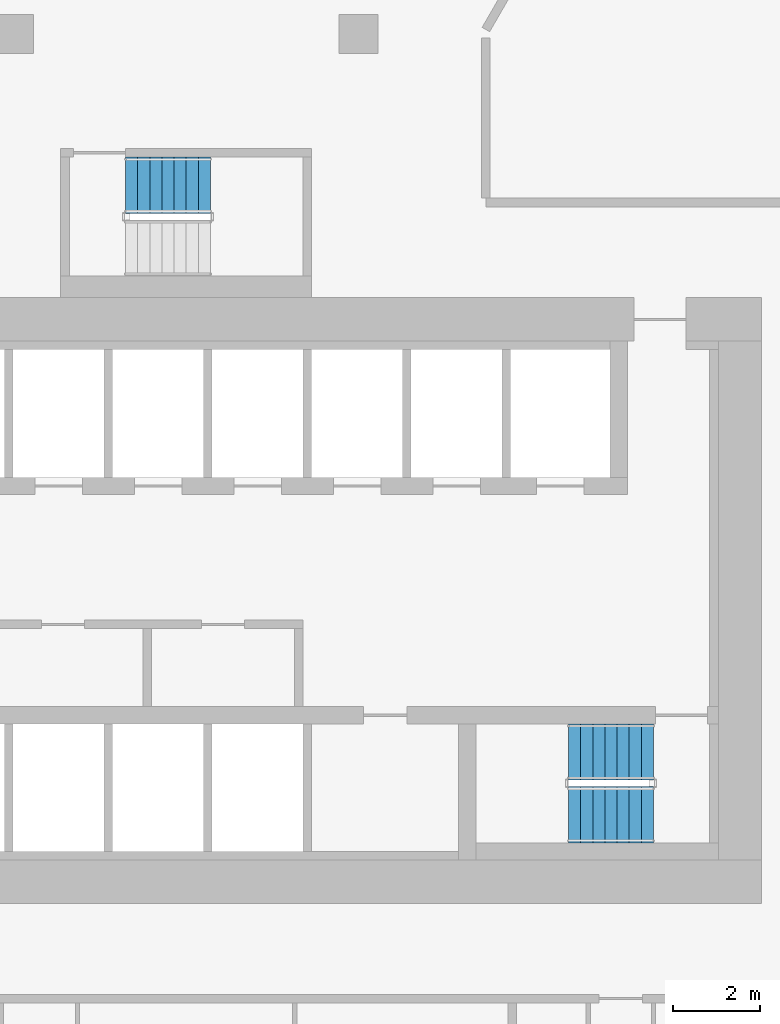
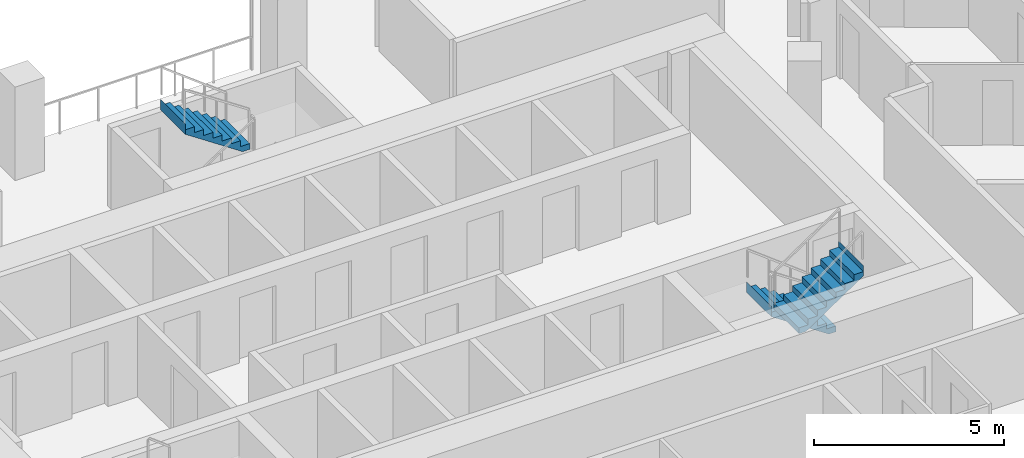
# One storey, part 14 of 18: 3 stair flights, 2 elements without a shape of their own.
"""IFC4 building model written with IfcOpenShell, lengths in metres."""

import ifcopenshell
import ifcopenshell.guid

model = None  # the IFC model being written
_history = None  # IfcOwnerHistory: only IFC2X3 demands one
_inside = {}  # id of a spatial element -> (the spatial element, [elements in it])
_under = {}  # id of a project, library or spatial element -> (it, [spatial elements below it])
_declared = {}  # id of a project -> (the project, [libraries it declares])
_typed = {}  # id of a type object -> (the type object, [elements of that type])
_made_of = {}  # id of a material, layer set ... -> (it, [elements and type objects made of it])


def new_model(schema):
    """Start an empty IFC model of exactly this schema.

    Asked for "IFC4X3", IfcOpenShell would pick the latest addendum, in which some entities
    have other attributes; the version numbers below select the first issue.
    IFC2X3 requires an IfcOwnerHistory on every rooted entity: one is made here for all.
    """
    global model, _history
    if schema == "IFC4X3":
        model = ifcopenshell.file(schema_version=(4, 3, 0, 0))
    else:
        model = ifcopenshell.file(schema=schema)
    _inside.clear()
    _under.clear()
    _declared.clear()
    _typed.clear()
    _made_of.clear()
    _history = None
    if model.schema == "IFC2X3":
        org = make("IfcOrganization", Name="unknown")
        user = make(
            "IfcPersonAndOrganization",
            ThePerson=make("IfcPerson", FamilyName="unknown"),
            TheOrganization=org,
        )
        app = make(
            "IfcApplication",
            ApplicationDeveloper=org,
            Version="unknown",
            ApplicationFullName="unknown",
            ApplicationIdentifier="unknown",
        )
        _history = make(
            "IfcOwnerHistory",
            OwningUser=user,
            OwningApplication=app,
            ChangeAction="ADDED",
            CreationDate=0,
        )
    return model


def make(cls, **values):
    """One entity of the class cls with the attributes given. An attribute that is None is left unset."""
    return model.create_entity(
        cls, **{name: value for name, value in values.items() if value is not None}
    )


def rooted(cls, **values):
    """An entity with a GlobalId (a new one), such as an element, a storey or a relation."""
    return make(cls, GlobalId=ifcopenshell.guid.new(), OwnerHistory=_history, **values)


def si_unit(unit_type, name, prefix=None):
    """IfcSIUnit, for example si_unit("LENGTHUNIT", "METRE", prefix="MILLI")."""
    return make("IfcSIUnit", UnitType=unit_type, Prefix=prefix, Name=name)


def assignment(units):
    """IfcUnitAssignment: the units of a project."""
    return None if units is None else make("IfcUnitAssignment", Units=units)


def point(xyz):
    """IfcCartesianPoint."""
    return None if xyz is None else make("IfcCartesianPoint", Coordinates=xyz)


def direction(xyz):
    """IfcDirection."""
    return None if xyz is None else make("IfcDirection", DirectionRatios=xyz)


def frame(location, z_axis=None, x_axis=None):
    """IfcAxis2Placement3D, a coordinate frame: its origin and axes. An axis left out is left unset."""
    return make(
        "IfcAxis2Placement3D",
        Location=point(location),
        Axis=direction(z_axis),
        RefDirection=direction(x_axis),
    )


def origin():
    """The frame at (0, 0, 0) with its axes left unset."""
    return frame((0.0, 0.0, 0.0))


def place(relative_to, where):
    """IfcLocalPlacement: puts the frame where relative to a parent placement (None: the world)."""
    return make(
        "IfcLocalPlacement", PlacementRelTo=relative_to, RelativePlacement=where
    )


def context(
    kind, dimensions, precision=None, world=None, true_north=None, identifier=None
):
    """IfcGeometricRepresentationContext, for example the 3D "Model" context."""
    return make(
        "IfcGeometricRepresentationContext",
        ContextIdentifier=identifier,
        ContextType=kind,
        CoordinateSpaceDimension=dimensions,
        Precision=precision,
        WorldCoordinateSystem=world,
        TrueNorth=true_north,
    )


def subcontext(parent, identifier, kind, view, scale=None):
    """IfcGeometricRepresentationSubContext, for example "Body" below "Model"."""
    return make(
        "IfcGeometricRepresentationSubContext",
        ContextIdentifier=identifier,
        ContextType=kind,
        ParentContext=parent,
        TargetScale=scale,
        TargetView=view,
    )


def project(units=None, contexts=None):
    """IfcProject with its units and contexts."""
    return rooted(
        "IfcProject",
        Name="project",
        RepresentationContexts=contexts,
        UnitsInContext=assignment(units),
    )


def spatial(cls, under=None, at=None, **own):
    """A site, building, storey or space (cls), placed at a placement, below another one or the project."""
    s = rooted(cls, ObjectPlacement=at, **own)
    if under is not None:
        _under.setdefault(under.id(), (under, []))[1].append(s)
    return s


def point_list(points):
    """IfcCartesianPointList2D or 3D."""
    cls = (
        "IfcCartesianPointList2D" if len(points[0]) == 2 else "IfcCartesianPointList3D"
    )
    return make(cls, CoordList=points)


def triangles(points, corners, closed=None, point_numbers=None):
    """IfcTriangulatedFaceSet: each triangle names its three corners, points numbered from 1."""
    return make(
        "IfcTriangulatedFaceSet",
        Coordinates=point_list(points),
        Closed=closed,
        CoordIndex=corners,
        PnIndex=point_numbers,
    )


def shape(context_of_items, identifier, shape_type, items):
    """IfcShapeRepresentation: the items that make up one representation, for example the "Body"."""
    return make(
        "IfcShapeRepresentation",
        ContextOfItems=context_of_items,
        RepresentationIdentifier=identifier,
        RepresentationType=shape_type,
        Items=items,
    )


def material(Name=None, Category=None):
    """IfcMaterial."""
    return make("IfcMaterial", Name=Name, Category=Category)


def made_of(thing, what):
    """Note that an element or type object is made of a material, layer set ...; save() writes the relation."""
    if what is not None:
        _made_of.setdefault(what.id(), (what, []))[1].append(thing)
    return thing


def type_object(cls, material=None, **own):
    """A type object (cls), such as IfcWallType, which elements share."""
    return made_of(rooted(cls, **own), material)


def element(
    cls,
    number,
    at=None,
    inside=None,
    cuts=None,
    type_object=None,
    material=None,
    context=None,
    identifier="Body",
    shape_type=None,
    held_by="IfcProductDefinitionShape",
    body=None,
    shapes=None,
    **own,
):
    """One element of the class cls, such as IfcWall. Its Tag is "e" and its number.

    at: its placement. inside: the storey or other place that contains it. cuts: it is an
    opening in that element (IfcRelVoidsElement). A single representation is given by context,
    identifier, shape_type and body (its items); several are given by shapes. held_by: the class
    of the entity that holds the representations. save() writes the other relations.
    """
    e = rooted(cls, Tag="e%d" % number, ObjectPlacement=at, **own)
    if body is not None:
        shapes = [shape(context, identifier, shape_type, body)]
    if shapes is not None:
        e.Representation = make(held_by, Representations=shapes)
    if inside is not None:
        _inside.setdefault(inside.id(), (inside, []))[1].append(e)
    if cuts is not None:
        rooted(
            "IfcRelVoidsElement", RelatingBuildingElement=cuts, RelatedOpeningElement=e
        )
    if type_object is not None:
        _typed.setdefault(type_object.id(), (type_object, []))[1].append(e)
    return made_of(e, material)


def aggregate(whole, parts):
    """IfcRelAggregates: a whole, such as a stair, and the parts it consists of."""
    return rooted("IfcRelAggregates", RelatingObject=whole, RelatedObjects=parts)


def save(model, path):
    """Write the relations noted so far, then the file.

    IfcRelAggregates (storeys below a building ...), IfcRelContainedInSpatialStructure (elements
    in a storey), IfcRelDefinesByType, IfcRelAssociatesMaterial and IfcRelDeclares: one each for
    every whole, place, type object, material and project.
    """
    for whole, parts in _under.values():
        aggregate(whole, parts)
    for where, things in _inside.values():
        rooted(
            "IfcRelContainedInSpatialStructure",
            RelatedElements=things,
            RelatingStructure=where,
        )
    for kind, things in _typed.values():
        rooted("IfcRelDefinesByType", RelatedObjects=things, RelatingType=kind)
    for what, things in _made_of.values():
        rooted("IfcRelAssociatesMaterial", RelatedObjects=things, RelatingMaterial=what)
    for by, libraries in _declared.values():
        rooted("IfcRelDeclares", RelatingContext=by, RelatedDefinitions=libraries)
    model.write(path)


model = new_model("IFC4")

# Units and contexts
model_context = context("Model", 3, precision=1e-05, world=origin(), true_north=direction((0.0, 1.0)))
body_context = subcontext(model_context, "Body", "Model", "MODEL_VIEW")
ifc_project = project(units=[si_unit("LENGTHUNIT", "METRE"), si_unit("AREAUNIT", "SQUARE_METRE"), si_unit("VOLUMEUNIT", "CUBIC_METRE"), si_unit("PLANEANGLEUNIT", "RADIAN"), si_unit("MASSUNIT", "GRAM", prefix="KILO")], contexts=[model_context])

# Site, building, storey
site_placement = place(None, origin())
site = spatial("IfcSite", under=ifc_project, at=site_placement, CompositionType="ELEMENT")
building_placement = place(site_placement, origin())
building = spatial("IfcBuilding", under=site, at=building_placement, Name="Beryl Residences", CompositionType="ELEMENT")
storey_placement = place(building_placement, frame((0.0, 0.0, 105.0)))
storey = spatial("IfcBuildingStorey", under=building, at=storey_placement, Name="L32", CompositionType="ELEMENT", Elevation=105.0)

# Stair, stair flights
ifc_material_1 = material(Name="Concrete C40/50", Category="concrete")
stair_type = type_object("IfcStairType", Name="ST1 protected exit stair, half-turn, 1300 mm flights", PredefinedType="HALF_TURN_STAIR", material=ifc_material_1)
stair_1_placement = place(storey_placement, origin())
stair_1 = element("IfcStair", 1, at=stair_1_placement, inside=storey, type_object=stair_type, Name="L32 PROTECTED EXIT STAIR ST-3", PredefinedType="HALF_TURN_STAIR")
ifc_material_2 = material(Name="Concrete C40/50", Category="concrete")
stair_flight_type = type_object("IfcStairFlightType", Name="SF1 stair flight 1300 mm", PredefinedType="STRAIGHT", material=ifc_material_2)
stair_flight_1_placement = place(storey_placement, frame((10.800048828125, -15.5, 0.0), z_axis=(0.0, 0.0, 1.0), x_axis=(-1.0, 0.0, 0.0)))
stair_flight_1 = element("IfcStairFlight", 2, at=stair_flight_1_placement, type_object=stair_flight_type, Name="ST-3 flight 1", NumberOfRisers=8, NumberOfTreads=7, PredefinedType="STRAIGHT", RiserHeight=0.1875, TreadLength=0.28, context=body_context, shape_type="Tessellation", body=[
    triangles([(0.0, -0.64990234375, 0.0), (0.0, -0.324951171875, 0.0), (0.0, 0.0, 0.0), (0.0, 0.324951171875, 0.0), (0.0, 0.64990234375, 0.0), (0.0, -0.64990234375, 0.1875), (0.0, -0.324951171875, 0.1875), (0.0, 0.0, 0.1875), (0.0, 0.324951171875, 0.1875), (0.0, 0.64990234375, 0.1875), (0.280029296875, -0.64990234375, 0.1875), (0.280029296875, -0.324951171875, 0.1875), (0.280029296875, 0.0, 0.1875), (0.280029296875, 0.324951171875, 0.1875), (0.280029296875, 0.64990234375, 0.1875), (0.280029296875, -0.64990234375, 0.375), (0.280029296875, -0.324951171875, 0.375), (0.280029296875, 0.0, 0.375), (0.280029296875, 0.324951171875, 0.375), (0.280029296875, 0.64990234375, 0.375), (0.56005859375, -0.64990234375, 0.375), (0.56005859375, -0.324951171875, 0.375), (0.56005859375, 0.0, 0.375), (0.56005859375, 0.324951171875, 0.375), (0.56005859375, 0.64990234375, 0.375), (0.56005859375, -0.64990234375, 0.5625), (0.56005859375, -0.324951171875, 0.5625), (0.56005859375, 0.0, 0.5625), (0.56005859375, 0.324951171875, 0.5625), (0.56005859375, 0.64990234375, 0.5625), (0.840087890625, -0.64990234375, 0.5625), (0.840087890625, -0.324951171875, 0.5625), (0.840087890625, 0.0, 0.5625), (0.840087890625, 0.324951171875, 0.5625), (0.840087890625, 0.64990234375, 0.5625), (0.840087890625, -0.64990234375, 0.75), (0.840087890625, -0.324951171875, 0.75), (0.840087890625, 0.0, 0.75), (0.840087890625, 0.324951171875, 0.75), (0.840087890625, 0.64990234375, 0.75), (1.1201171875, -0.64990234375, 0.75), (1.1201171875, -0.324951171875, 0.75), (1.1201171875, 0.0, 0.75), (1.1201171875, 0.324951171875, 0.75), (1.1201171875, 0.64990234375, 0.75), (1.1201171875, -0.64990234375, 0.9375), (1.1201171875, -0.324951171875, 0.9375), (1.1201171875, 0.0, 0.9375), (1.1201171875, 0.324951171875, 0.9375), (1.1201171875, 0.64990234375, 0.9375), (1.39990234375, -0.64990234375, 0.9375), (1.39990234375, -0.324951171875, 0.9375), (1.39990234375, 0.0, 0.9375), (1.39990234375, 0.324951171875, 0.9375), (1.39990234375, 0.64990234375, 0.9375), (1.39990234375, -0.64990234375, 1.125), (1.39990234375, -0.324951171875, 1.125), (1.39990234375, 0.0, 1.125), (1.39990234375, 0.324951171875, 1.125), (1.39990234375, 0.64990234375, 1.125), (1.679931640625, -0.64990234375, 1.125), (1.679931640625, -0.324951171875, 1.125), (1.679931640625, 0.0, 1.125), (1.679931640625, 0.324951171875, 1.125), (1.679931640625, 0.64990234375, 1.125), (1.679931640625, -0.64990234375, 1.3125), (1.679931640625, -0.324951171875, 1.3125), (1.679931640625, 0.0, 1.3125), (1.679931640625, 0.324951171875, 1.3125), (1.679931640625, 0.64990234375, 1.3125), (1.9599609375, -0.64990234375, 1.3125), (1.9599609375, -0.324951171875, 1.3125), (1.9599609375, 0.0, 1.3125), (1.9599609375, 0.324951171875, 1.3125), (1.9599609375, 0.64990234375, 1.3125), (1.9599609375, -0.64990234375, 1.5), (1.9599609375, -0.324951171875, 1.5), (1.9599609375, 0.0, 1.5), (1.9599609375, 0.324951171875, 1.5), (1.9599609375, 0.64990234375, 1.5), (1.9609375, -0.64990234375, 1.5), (1.9609375, -0.324951171875, 1.5), (1.9609375, 0.0, 1.5), (1.9609375, 0.324951171875, 1.5), (1.9609375, 0.64990234375, 1.5), (1.9609375, -0.64990234375, 1.16796875), (1.9609375, -0.324951171875, 1.16796875), (1.9609375, 0.0, 1.16796875), (1.9609375, 0.324951171875, 1.16796875), (1.9609375, 0.64990234375, 1.16796875), (0.216796875, -0.64990234375, 0.0), (0.216796875, -0.324951171875, 0.0), (0.216796875, 0.0, 0.0), (0.216796875, 0.324951171875, 0.0), (0.216796875, 0.64990234375, 0.0)], [[1, 6, 7], [1, 7, 2], [2, 7, 8], [2, 8, 3], [3, 8, 9], [3, 9, 4], [4, 9, 10], [4, 10, 5], [6, 11, 12], [6, 12, 7], [7, 12, 13], [7, 13, 8], [8, 13, 14], [8, 14, 9], [9, 14, 15], [9, 15, 10], [11, 16, 17], [11, 17, 12], [12, 17, 18], [12, 18, 13], [13, 18, 19], [13, 19, 14], [14, 19, 20], [14, 20, 15], [16, 21, 22], [16, 22, 17], [17, 22, 23], [17, 23, 18], [18, 23, 24], [18, 24, 19], [19, 24, 25], [19, 25, 20], [21, 26, 27], [21, 27, 22], [22, 27, 28], [22, 28, 23], [23, 28, 29], [23, 29, 24], [24, 29, 30], [24, 30, 25], [26, 31, 32], [26, 32, 27], [27, 32, 33], [27, 33, 28], [28, 33, 34], [28, 34, 29], [29, 34, 35], [29, 35, 30], [31, 36, 37], [31, 37, 32], [32, 37, 38], [32, 38, 33], [33, 38, 39], [33, 39, 34], [34, 39, 40], [34, 40, 35], [36, 41, 42], [36, 42, 37], [37, 42, 43], [37, 43, 38], [38, 43, 44], [38, 44, 39], [39, 44, 45], [39, 45, 40], [41, 46, 47], [41, 47, 42], [42, 47, 48], [42, 48, 43], [43, 48, 49], [43, 49, 44], [44, 49, 50], [44, 50, 45], [46, 51, 52], [46, 52, 47], [47, 52, 53], [47, 53, 48], [48, 53, 54], [48, 54, 49], [49, 54, 55], [49, 55, 50], [51, 56, 57], [51, 57, 52], [52, 57, 58], [52, 58, 53], [53, 58, 59], [53, 59, 54], [54, 59, 60], [54, 60, 55], [56, 61, 62], [56, 62, 57], [57, 62, 63], [57, 63, 58], [58, 63, 64], [58, 64, 59], [59, 64, 65], [59, 65, 60], [61, 66, 67], [61, 67, 62], [62, 67, 68], [62, 68, 63], [63, 68, 69], [63, 69, 64], [64, 69, 70], [64, 70, 65], [66, 71, 72], [66, 72, 67], [67, 72, 73], [67, 73, 68], [68, 73, 74], [68, 74, 69], [69, 74, 75], [69, 75, 70], [71, 76, 77], [71, 77, 72], [72, 77, 78], [72, 78, 73], [73, 78, 79], [73, 79, 74], [74, 79, 80], [74, 80, 75], [76, 81, 82], [76, 82, 77], [77, 82, 83], [77, 83, 78], [78, 83, 84], [78, 84, 79], [79, 84, 85], [79, 85, 80], [81, 86, 87], [81, 87, 82], [82, 87, 88], [82, 88, 83], [83, 88, 89], [83, 89, 84], [84, 89, 90], [84, 90, 85], [86, 91, 92], [86, 92, 87], [87, 92, 93], [87, 93, 88], [88, 93, 94], [88, 94, 89], [89, 94, 95], [89, 95, 90], [91, 1, 2], [91, 2, 92], [92, 2, 3], [92, 3, 93], [93, 3, 4], [93, 4, 94], [94, 4, 5], [94, 5, 95], [1, 91, 86], [5, 90, 95], [86, 81, 76], [90, 80, 85], [86, 76, 71], [90, 75, 80], [86, 71, 66], [90, 70, 75], [86, 66, 61], [90, 65, 70], [61, 56, 51], [65, 55, 60], [86, 61, 51], [90, 55, 65], [51, 46, 41], [55, 45, 50], [86, 51, 41], [90, 45, 55], [41, 36, 31], [45, 35, 40], [86, 41, 31], [90, 35, 45], [31, 26, 21], [35, 25, 30], [86, 31, 21], [90, 25, 35], [21, 16, 11], [25, 15, 20], [86, 21, 11], [90, 15, 25], [1, 86, 11], [5, 15, 90], [11, 6, 1], [15, 5, 10]], closed=True),
])
stair_flight_2_placement = place(storey_placement, frame((8.840087890625, -16.949951171875, 1.5), z_axis=(0.0, 0.0, 1.0), x_axis=(1.0, 0.0, 0.0)))
stair_flight_2 = element("IfcStairFlight", 3, at=stair_flight_2_placement, type_object=stair_flight_type, Name="ST-3 flight 2", NumberOfRisers=8, NumberOfTreads=7, PredefinedType="STRAIGHT", RiserHeight=0.1875, TreadLength=0.28, context=body_context, shape_type="Tessellation", body=[
    triangles([(0.0, -0.64990234375, 0.0), (0.0, -0.324951171875, 0.0), (0.0, 0.0, 0.0), (0.0, 0.324951171875, 0.0), (0.0, 0.64990234375, 0.0), (0.0, -0.64990234375, 0.1875), (0.0, -0.324951171875, 0.1875), (0.0, 0.0, 0.1875), (0.0, 0.324951171875, 0.1875), (0.0, 0.64990234375, 0.1875), (0.280029296875, -0.64990234375, 0.1875), (0.280029296875, -0.324951171875, 0.1875), (0.280029296875, 0.0, 0.1875), (0.280029296875, 0.324951171875, 0.1875), (0.280029296875, 0.64990234375, 0.1875), (0.280029296875, -0.64990234375, 0.375), (0.280029296875, -0.324951171875, 0.375), (0.280029296875, 0.0, 0.375), (0.280029296875, 0.324951171875, 0.375), (0.280029296875, 0.64990234375, 0.375), (0.56005859375, -0.64990234375, 0.375), (0.56005859375, -0.324951171875, 0.375), (0.56005859375, 0.0, 0.375), (0.56005859375, 0.324951171875, 0.375), (0.56005859375, 0.64990234375, 0.375), (0.56005859375, -0.64990234375, 0.5625), (0.56005859375, -0.324951171875, 0.5625), (0.56005859375, 0.0, 0.5625), (0.56005859375, 0.324951171875, 0.5625), (0.56005859375, 0.64990234375, 0.5625), (0.840087890625, -0.64990234375, 0.5625), (0.840087890625, -0.324951171875, 0.5625), (0.840087890625, 0.0, 0.5625), (0.840087890625, 0.324951171875, 0.5625), (0.840087890625, 0.64990234375, 0.5625), (0.840087890625, -0.64990234375, 0.75), (0.840087890625, -0.324951171875, 0.75), (0.840087890625, 0.0, 0.75), (0.840087890625, 0.324951171875, 0.75), (0.840087890625, 0.64990234375, 0.75), (1.1201171875, -0.64990234375, 0.75), (1.1201171875, -0.324951171875, 0.75), (1.1201171875, 0.0, 0.75), (1.1201171875, 0.324951171875, 0.75), (1.1201171875, 0.64990234375, 0.75), (1.1201171875, -0.64990234375, 0.9375), (1.1201171875, -0.324951171875, 0.9375), (1.1201171875, 0.0, 0.9375), (1.1201171875, 0.324951171875, 0.9375), (1.1201171875, 0.64990234375, 0.9375), (1.39990234375, -0.64990234375, 0.9375), (1.39990234375, -0.324951171875, 0.9375), (1.39990234375, 0.0, 0.9375), (1.39990234375, 0.324951171875, 0.9375), (1.39990234375, 0.64990234375, 0.9375), (1.39990234375, -0.64990234375, 1.125), (1.39990234375, -0.324951171875, 1.125), (1.39990234375, 0.0, 1.125), (1.39990234375, 0.324951171875, 1.125), (1.39990234375, 0.64990234375, 1.125), (1.679931640625, -0.64990234375, 1.125), (1.679931640625, -0.324951171875, 1.125), (1.679931640625, 0.0, 1.125), (1.679931640625, 0.324951171875, 1.125), (1.679931640625, 0.64990234375, 1.125), (1.679931640625, -0.64990234375, 1.3125), (1.679931640625, -0.324951171875, 1.3125), (1.679931640625, 0.0, 1.3125), (1.679931640625, 0.324951171875, 1.3125), (1.679931640625, 0.64990234375, 1.3125), (1.9599609375, -0.64990234375, 1.3125), (1.9599609375, -0.324951171875, 1.3125), (1.9599609375, 0.0, 1.3125), (1.9599609375, 0.324951171875, 1.3125), (1.9599609375, 0.64990234375, 1.3125), (1.9599609375, -0.64990234375, 1.5), (1.9599609375, -0.324951171875, 1.5), (1.9599609375, 0.0, 1.5), (1.9599609375, 0.324951171875, 1.5), (1.9599609375, 0.64990234375, 1.5), (1.9609375, -0.64990234375, 1.5), (1.9609375, -0.324951171875, 1.5), (1.9609375, 0.0, 1.5), (1.9609375, 0.324951171875, 1.5), (1.9609375, 0.64990234375, 1.5), (1.9609375, -0.64990234375, 1.16796875), (1.9609375, -0.324951171875, 1.16796875), (1.9609375, 0.0, 1.16796875), (1.9609375, 0.324951171875, 1.16796875), (1.9609375, 0.64990234375, 1.16796875), (0.216796875, -0.64990234375, 0.0), (0.216796875, -0.324951171875, 0.0), (0.216796875, 0.0, 0.0), (0.216796875, 0.324951171875, 0.0), (0.216796875, 0.64990234375, 0.0)], [[1, 6, 7], [1, 7, 2], [2, 7, 8], [2, 8, 3], [3, 8, 9], [3, 9, 4], [4, 9, 10], [4, 10, 5], [6, 11, 12], [6, 12, 7], [7, 12, 13], [7, 13, 8], [8, 13, 14], [8, 14, 9], [9, 14, 15], [9, 15, 10], [11, 16, 17], [11, 17, 12], [12, 17, 18], [12, 18, 13], [13, 18, 19], [13, 19, 14], [14, 19, 20], [14, 20, 15], [16, 21, 22], [16, 22, 17], [17, 22, 23], [17, 23, 18], [18, 23, 24], [18, 24, 19], [19, 24, 25], [19, 25, 20], [21, 26, 27], [21, 27, 22], [22, 27, 28], [22, 28, 23], [23, 28, 29], [23, 29, 24], [24, 29, 30], [24, 30, 25], [26, 31, 32], [26, 32, 27], [27, 32, 33], [27, 33, 28], [28, 33, 34], [28, 34, 29], [29, 34, 35], [29, 35, 30], [31, 36, 37], [31, 37, 32], [32, 37, 38], [32, 38, 33], [33, 38, 39], [33, 39, 34], [34, 39, 40], [34, 40, 35], [36, 41, 42], [36, 42, 37], [37, 42, 43], [37, 43, 38], [38, 43, 44], [38, 44, 39], [39, 44, 45], [39, 45, 40], [41, 46, 47], [41, 47, 42], [42, 47, 48], [42, 48, 43], [43, 48, 49], [43, 49, 44], [44, 49, 50], [44, 50, 45], [46, 51, 52], [46, 52, 47], [47, 52, 53], [47, 53, 48], [48, 53, 54], [48, 54, 49], [49, 54, 55], [49, 55, 50], [51, 56, 57], [51, 57, 52], [52, 57, 58], [52, 58, 53], [53, 58, 59], [53, 59, 54], [54, 59, 60], [54, 60, 55], [56, 61, 62], [56, 62, 57], [57, 62, 63], [57, 63, 58], [58, 63, 64], [58, 64, 59], [59, 64, 65], [59, 65, 60], [61, 66, 67], [61, 67, 62], [62, 67, 68], [62, 68, 63], [63, 68, 69], [63, 69, 64], [64, 69, 70], [64, 70, 65], [66, 71, 72], [66, 72, 67], [67, 72, 73], [67, 73, 68], [68, 73, 74], [68, 74, 69], [69, 74, 75], [69, 75, 70], [71, 76, 77], [71, 77, 72], [72, 77, 78], [72, 78, 73], [73, 78, 79], [73, 79, 74], [74, 79, 80], [74, 80, 75], [76, 81, 82], [76, 82, 77], [77, 82, 83], [77, 83, 78], [78, 83, 84], [78, 84, 79], [79, 84, 85], [79, 85, 80], [81, 86, 87], [81, 87, 82], [82, 87, 88], [82, 88, 83], [83, 88, 89], [83, 89, 84], [84, 89, 90], [84, 90, 85], [86, 91, 92], [86, 92, 87], [87, 92, 93], [87, 93, 88], [88, 93, 94], [88, 94, 89], [89, 94, 95], [89, 95, 90], [91, 1, 2], [91, 2, 92], [92, 2, 3], [92, 3, 93], [93, 3, 4], [93, 4, 94], [94, 4, 5], [94, 5, 95], [1, 91, 86], [5, 90, 95], [86, 81, 76], [90, 80, 85], [86, 76, 71], [90, 75, 80], [86, 71, 66], [90, 70, 75], [86, 66, 61], [90, 65, 70], [61, 56, 51], [65, 55, 60], [86, 61, 51], [90, 55, 65], [51, 46, 41], [55, 45, 50], [86, 51, 41], [90, 45, 55], [41, 36, 31], [45, 35, 40], [86, 41, 31], [90, 35, 45], [31, 26, 21], [35, 25, 30], [86, 31, 21], [90, 25, 35], [21, 16, 11], [25, 15, 20], [86, 21, 11], [90, 15, 25], [1, 86, 11], [5, 15, 90], [11, 6, 1], [15, 5, 10]], closed=True),
])
aggregate(stair_1, [stair_flight_1, stair_flight_2])

# Stair, stair flight
stair_2_placement = place(storey_placement, origin())
stair_2 = element("IfcStair", 4, at=stair_2_placement, inside=storey, type_object=stair_type, Name="L32 PROTECTED EXIT STAIR ST-4", PredefinedType="HALF_TURN_STAIR")
stair_flight_3_placement = place(storey_placement, frame((0.56005859375, -2.39990234375, 1.5), z_axis=(0.0, 0.0, 1.0), x_axis=(-1.0, 0.0, 0.0)))
stair_flight_3 = element("IfcStairFlight", 5, at=stair_flight_3_placement, type_object=stair_flight_type, Name="ST-4 flight 2", NumberOfRisers=8, NumberOfTreads=7, PredefinedType="STRAIGHT", RiserHeight=0.1875, TreadLength=0.28, context=body_context, shape_type="Tessellation", body=[
    triangles([(0.0, -0.64990234375, 0.0), (0.0, -0.324951171875, 0.0), (0.0, 0.0, 0.0), (0.0, 0.324951171875, 0.0), (0.0, 0.64990234375, 0.0), (0.0, -0.64990234375, 0.1875), (0.0, -0.324951171875, 0.1875), (0.0, 0.0, 0.1875), (0.0, 0.324951171875, 0.1875), (0.0, 0.64990234375, 0.1875), (0.280029296875, -0.64990234375, 0.1875), (0.280029296875, -0.324951171875, 0.1875), (0.280029296875, 0.0, 0.1875), (0.280029296875, 0.324951171875, 0.1875), (0.280029296875, 0.64990234375, 0.1875), (0.280029296875, -0.64990234375, 0.375), (0.280029296875, -0.324951171875, 0.375), (0.280029296875, 0.0, 0.375), (0.280029296875, 0.324951171875, 0.375), (0.280029296875, 0.64990234375, 0.375), (0.56005859375, -0.64990234375, 0.375), (0.56005859375, -0.324951171875, 0.375), (0.56005859375, 0.0, 0.375), (0.56005859375, 0.324951171875, 0.375), (0.56005859375, 0.64990234375, 0.375), (0.56005859375, -0.64990234375, 0.5625), (0.56005859375, -0.324951171875, 0.5625), (0.56005859375, 0.0, 0.5625), (0.56005859375, 0.324951171875, 0.5625), (0.56005859375, 0.64990234375, 0.5625), (0.840087890625, -0.64990234375, 0.5625), (0.840087890625, -0.324951171875, 0.5625), (0.840087890625, 0.0, 0.5625), (0.840087890625, 0.324951171875, 0.5625), (0.840087890625, 0.64990234375, 0.5625), (0.840087890625, -0.64990234375, 0.75), (0.840087890625, -0.324951171875, 0.75), (0.840087890625, 0.0, 0.75), (0.840087890625, 0.324951171875, 0.75), (0.840087890625, 0.64990234375, 0.75), (1.1201171875, -0.64990234375, 0.75), (1.1201171875, -0.324951171875, 0.75), (1.1201171875, 0.0, 0.75), (1.1201171875, 0.324951171875, 0.75), (1.1201171875, 0.64990234375, 0.75), (1.1201171875, -0.64990234375, 0.9375), (1.1201171875, -0.324951171875, 0.9375), (1.1201171875, 0.0, 0.9375), (1.1201171875, 0.324951171875, 0.9375), (1.1201171875, 0.64990234375, 0.9375), (1.39990234375, -0.64990234375, 0.9375), (1.39990234375, -0.324951171875, 0.9375), (1.39990234375, 0.0, 0.9375), (1.39990234375, 0.324951171875, 0.9375), (1.39990234375, 0.64990234375, 0.9375), (1.39990234375, -0.64990234375, 1.125), (1.39990234375, -0.324951171875, 1.125), (1.39990234375, 0.0, 1.125), (1.39990234375, 0.324951171875, 1.125), (1.39990234375, 0.64990234375, 1.125), (1.679931640625, -0.64990234375, 1.125), (1.679931640625, -0.324951171875, 1.125), (1.679931640625, 0.0, 1.125), (1.679931640625, 0.324951171875, 1.125), (1.679931640625, 0.64990234375, 1.125), (1.679931640625, -0.64990234375, 1.3125), (1.679931640625, -0.324951171875, 1.3125), (1.679931640625, 0.0, 1.3125), (1.679931640625, 0.324951171875, 1.3125), (1.679931640625, 0.64990234375, 1.3125), (1.9599609375, -0.64990234375, 1.3125), (1.9599609375, -0.324951171875, 1.3125), (1.9599609375, 0.0, 1.3125), (1.9599609375, 0.324951171875, 1.3125), (1.9599609375, 0.64990234375, 1.3125), (1.9599609375, -0.64990234375, 1.5), (1.9599609375, -0.324951171875, 1.5), (1.9599609375, 0.0, 1.5), (1.9599609375, 0.324951171875, 1.5), (1.9599609375, 0.64990234375, 1.5), (1.9609375, -0.64990234375, 1.5), (1.9609375, -0.324951171875, 1.5), (1.9609375, 0.0, 1.5), (1.9609375, 0.324951171875, 1.5), (1.9609375, 0.64990234375, 1.5), (1.9609375, -0.64990234375, 1.16796875), (1.9609375, -0.324951171875, 1.16796875), (1.9609375, 0.0, 1.16796875), (1.9609375, 0.324951171875, 1.16796875), (1.9609375, 0.64990234375, 1.16796875), (0.216796875, -0.64990234375, 0.0), (0.216796875, -0.324951171875, 0.0), (0.216796875, 0.0, 0.0), (0.216796875, 0.324951171875, 0.0), (0.216796875, 0.64990234375, 0.0)], [[1, 6, 7], [1, 7, 2], [2, 7, 8], [2, 8, 3], [3, 8, 9], [3, 9, 4], [4, 9, 10], [4, 10, 5], [6, 11, 12], [6, 12, 7], [7, 12, 13], [7, 13, 8], [8, 13, 14], [8, 14, 9], [9, 14, 15], [9, 15, 10], [11, 16, 17], [11, 17, 12], [12, 17, 18], [12, 18, 13], [13, 18, 19], [13, 19, 14], [14, 19, 20], [14, 20, 15], [16, 21, 22], [16, 22, 17], [17, 22, 23], [17, 23, 18], [18, 23, 24], [18, 24, 19], [19, 24, 25], [19, 25, 20], [21, 26, 27], [21, 27, 22], [22, 27, 28], [22, 28, 23], [23, 28, 29], [23, 29, 24], [24, 29, 30], [24, 30, 25], [26, 31, 32], [26, 32, 27], [27, 32, 33], [27, 33, 28], [28, 33, 34], [28, 34, 29], [29, 34, 35], [29, 35, 30], [31, 36, 37], [31, 37, 32], [32, 37, 38], [32, 38, 33], [33, 38, 39], [33, 39, 34], [34, 39, 40], [34, 40, 35], [36, 41, 42], [36, 42, 37], [37, 42, 43], [37, 43, 38], [38, 43, 44], [38, 44, 39], [39, 44, 45], [39, 45, 40], [41, 46, 47], [41, 47, 42], [42, 47, 48], [42, 48, 43], [43, 48, 49], [43, 49, 44], [44, 49, 50], [44, 50, 45], [46, 51, 52], [46, 52, 47], [47, 52, 53], [47, 53, 48], [48, 53, 54], [48, 54, 49], [49, 54, 55], [49, 55, 50], [51, 56, 57], [51, 57, 52], [52, 57, 58], [52, 58, 53], [53, 58, 59], [53, 59, 54], [54, 59, 60], [54, 60, 55], [56, 61, 62], [56, 62, 57], [57, 62, 63], [57, 63, 58], [58, 63, 64], [58, 64, 59], [59, 64, 65], [59, 65, 60], [61, 66, 67], [61, 67, 62], [62, 67, 68], [62, 68, 63], [63, 68, 69], [63, 69, 64], [64, 69, 70], [64, 70, 65], [66, 71, 72], [66, 72, 67], [67, 72, 73], [67, 73, 68], [68, 73, 74], [68, 74, 69], [69, 74, 75], [69, 75, 70], [71, 76, 77], [71, 77, 72], [72, 77, 78], [72, 78, 73], [73, 78, 79], [73, 79, 74], [74, 79, 80], [74, 80, 75], [76, 81, 82], [76, 82, 77], [77, 82, 83], [77, 83, 78], [78, 83, 84], [78, 84, 79], [79, 84, 85], [79, 85, 80], [81, 86, 87], [81, 87, 82], [82, 87, 88], [82, 88, 83], [83, 88, 89], [83, 89, 84], [84, 89, 90], [84, 90, 85], [86, 91, 92], [86, 92, 87], [87, 92, 93], [87, 93, 88], [88, 93, 94], [88, 94, 89], [89, 94, 95], [89, 95, 90], [91, 1, 2], [91, 2, 92], [92, 2, 3], [92, 3, 93], [93, 3, 4], [93, 4, 94], [94, 4, 5], [94, 5, 95], [1, 91, 86], [5, 90, 95], [86, 81, 76], [90, 80, 85], [86, 76, 71], [90, 75, 80], [86, 71, 66], [90, 70, 75], [86, 66, 61], [90, 65, 70], [61, 56, 51], [65, 55, 60], [86, 61, 51], [90, 55, 65], [51, 46, 41], [55, 45, 50], [86, 51, 41], [90, 45, 55], [41, 36, 31], [45, 35, 40], [86, 41, 31], [90, 35, 45], [31, 26, 21], [35, 25, 30], [86, 31, 21], [90, 25, 35], [21, 16, 11], [25, 15, 20], [86, 21, 11], [90, 15, 25], [1, 86, 11], [5, 15, 90], [11, 6, 1], [15, 5, 10]], closed=True),
])
aggregate(stair_2, [stair_flight_3])

save(model, "model.ifc")
